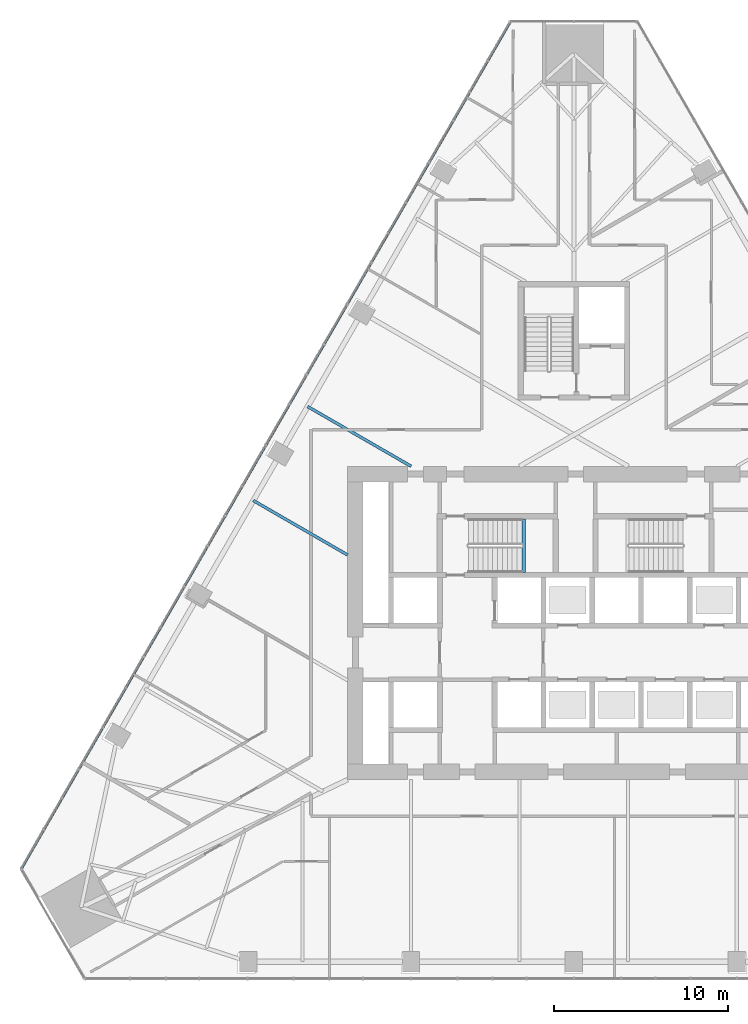
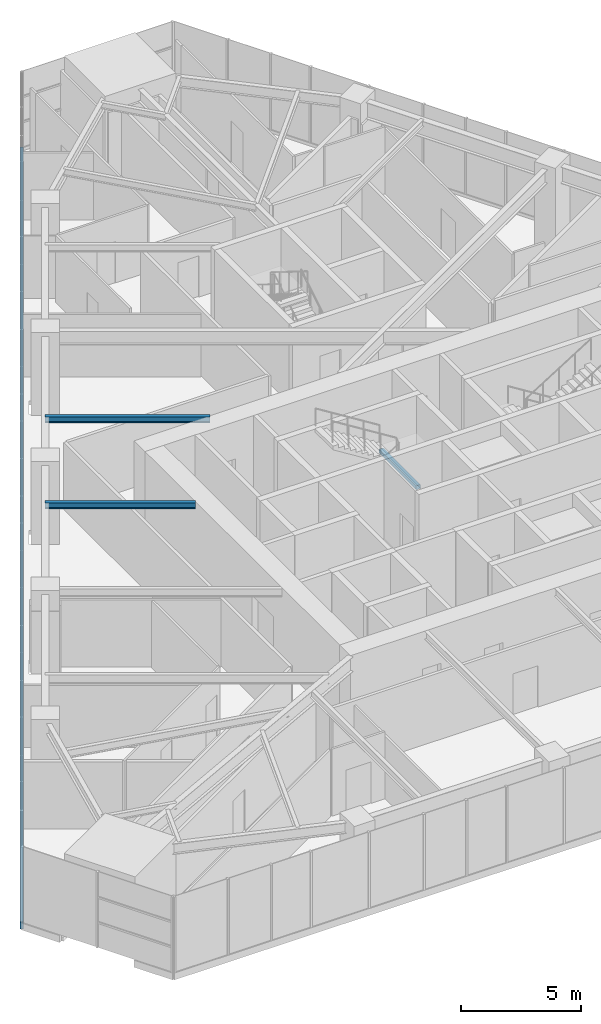
# One storey, part 5 of 19: 3 beams, 1 member, 1 element without a shape of its own.
"""IFC4 building model written with IfcOpenShell, lengths in metres."""

from ifc_helpers import new_model, si_unit, direction, frame, origin, origin_2d, place, context, subcontext, project, spatial, rectangle, i_section, extrude, material, layer, layer_set, material_profile, profile_set, type_object, element, aggregate, save


model = new_model("IFC4")

# Units and contexts
model_context = context("Model", 3, precision=1e-05, world=origin(), true_north=direction((0.0, 1.0)))
body_context = subcontext(model_context, "Body", "Model", "MODEL_VIEW")
ifc_project = project(units=[si_unit("LENGTHUNIT", "METRE"), si_unit("AREAUNIT", "SQUARE_METRE"), si_unit("VOLUMEUNIT", "CUBIC_METRE"), si_unit("PLANEANGLEUNIT", "RADIAN"), si_unit("MASSUNIT", "GRAM", prefix="KILO")], contexts=[model_context])

# Site, building, storey
site_placement = place(None, origin())
site = spatial("IfcSite", under=ifc_project, at=site_placement, CompositionType="ELEMENT")
building_placement = place(site_placement, origin())
building = spatial("IfcBuilding", under=site, at=building_placement, Name="Firuza Gate Tower and Library", CompositionType="ELEMENT")
storey_placement = place(building_placement, frame((0.0, 0.0, 103.0)))
storey = spatial("IfcBuildingStorey", under=building, at=storey_placement, Name="L23", CompositionType="ELEMENT", Elevation=103.0)

# Curtain wall, member
ifc_material_1 = material(Name="Aluminium 6063-T6", Category="aluminium")
ifc_layer = layer(ifc_material_1, 0.14990234375)
ifc_layer_set = layer_set([ifc_layer], Name="Unitised curtain wall, offices")
curtain_wall_type = type_object("IfcCurtainWallType", Name="Unitised curtain wall, offices", PredefinedType="NOTDEFINED", material=ifc_layer_set)
curtain_wall_placement = place(storey_placement, origin())
curtain_wall = element("IfcCurtainWall", 1, at=curtain_wall_placement, inside=storey, type_object=curtain_wall_type, Name="CW1 L23 W face", PredefinedType="NOTDEFINED")
ifc_material_2 = material(Name="Aluminium 6063-T6", Category="aluminium")
ifc_material_profile_1 = material_profile(ifc_material_2, rectangle(XDim=0.14990234375, YDim=0.35009765625, at=origin_2d()))
ifc_profile_set_1 = profile_set([ifc_material_profile_1], Name="Aluminium 6063-T6")
member_type = type_object("IfcMemberType", Name="Curtain wall transom 350x150", PredefinedType="USERDEFINED", material=ifc_profile_set_1)
member_placement = place(storey_placement, frame((71.356689453125, 109.557373046875, -0.02490234375), z_axis=(-0.500000287872, -0.866025237581, 0.0), x_axis=(0.866025237581, -0.500000287872, 0.0)))
member = element("IfcMember", 2, at=member_placement, type_object=member_type, Name="Transom", ObjectType="TRANSOM", PredefinedType="USERDEFINED", context=body_context, shape_type="SweptSolid", body=[
    extrude(rectangle(XDim=0.14990234375, YDim=0.35009765625, at=origin_2d()), origin(), (0.0, 0.0, 1.0), 56.2119140625),
])
aggregate(curtain_wall, [member])

# Beams
ifc_material_3 = material(Name="Concrete C35/45", Category="concrete")
ifc_material_profile_2 = material_profile(ifc_material_3, rectangle(XDim=0.199951171875, YDim=0.199951171875, at=origin_2d()))
ifc_profile_set_2 = profile_set([ifc_material_profile_2], Name="Concrete C35/45")
beam_type_1 = type_object("IfcBeamType", Name="Stair landing bearer 200x200", PredefinedType="BEAM", material=ifc_profile_set_2)
beam_1_placement = place(storey_placement, frame((72.1201171875, 77.89990234375, 1.800048828125), z_axis=(0.0, 1.0, 0.0), x_axis=(-1.0, 0.0, 0.0)))
element("IfcBeam", 3, at=beam_1_placement, inside=storey, type_object=beam_type_1, Name="Landing bearer L23 stair 1", PredefinedType="BEAM", context=body_context, shape_type="SweptSolid", body=[
    extrude(rectangle(XDim=0.199951171875, YDim=0.199951171875, at=origin_2d()), origin(), (0.0, 0.0, 1.0), 3.080078125),
])
ifc_material_4 = material(Name="Steel S355", Category="steel")
ifc_material_profile_3 = material_profile(ifc_material_4, i_section(OverallWidth=0.1650390625, OverallDepth=0.31005859375, WebThickness=0.005859375, FlangeThickness=0.009765625, at=origin_2d()))
ifc_profile_set_3 = profile_set([ifc_material_profile_3], Name="Steel S355")
beam_type_2 = type_object("IfcBeamType", Name="W310x39 Floor beam", PredefinedType="JOIST", material=ifc_profile_set_3)
beam_2_placement = place(storey_placement, frame((59.70703125, 87.4296875, 3.844970703125), z_axis=(0.866035638285, -0.499982272906, 0.0), x_axis=(0.499982272906, 0.866035638285, 0.0)))
element("IfcBeam", 4, at=beam_2_placement, inside=storey, type_object=beam_type_2, Name="Floor beam L23 s82", PredefinedType="JOIST", context=body_context, shape_type="SweptSolid", body=[
    extrude(i_section(OverallWidth=0.1650390625, OverallDepth=0.31005859375, WebThickness=0.005859375, FlangeThickness=0.009765625, at=origin_2d()), origin(), (0.0, 0.0, 1.0), 6.859619140625),
])
beam_3_placement = place(storey_placement, frame((56.589111328125, 82.029052734375, 3.844970703125), z_axis=(0.866022256913, -0.500005450501, 0.0), x_axis=(0.500005450501, 0.866022256913, 0.0)))
element("IfcBeam", 5, at=beam_3_placement, inside=storey, type_object=beam_type_2, Name="Floor beam L23 s83", PredefinedType="JOIST", context=body_context, shape_type="SweptSolid", body=[
    extrude(i_section(OverallWidth=0.1650390625, OverallDepth=0.31005859375, WebThickness=0.005859375, FlangeThickness=0.009765625, at=origin_2d()), origin(), (0.0, 0.0, 1.0), 6.248046875),
])

save(model, "model.ifc")
